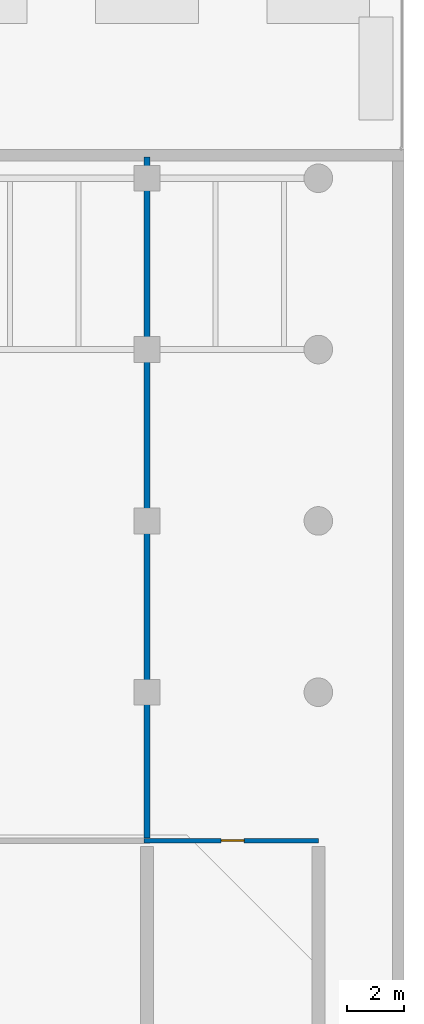
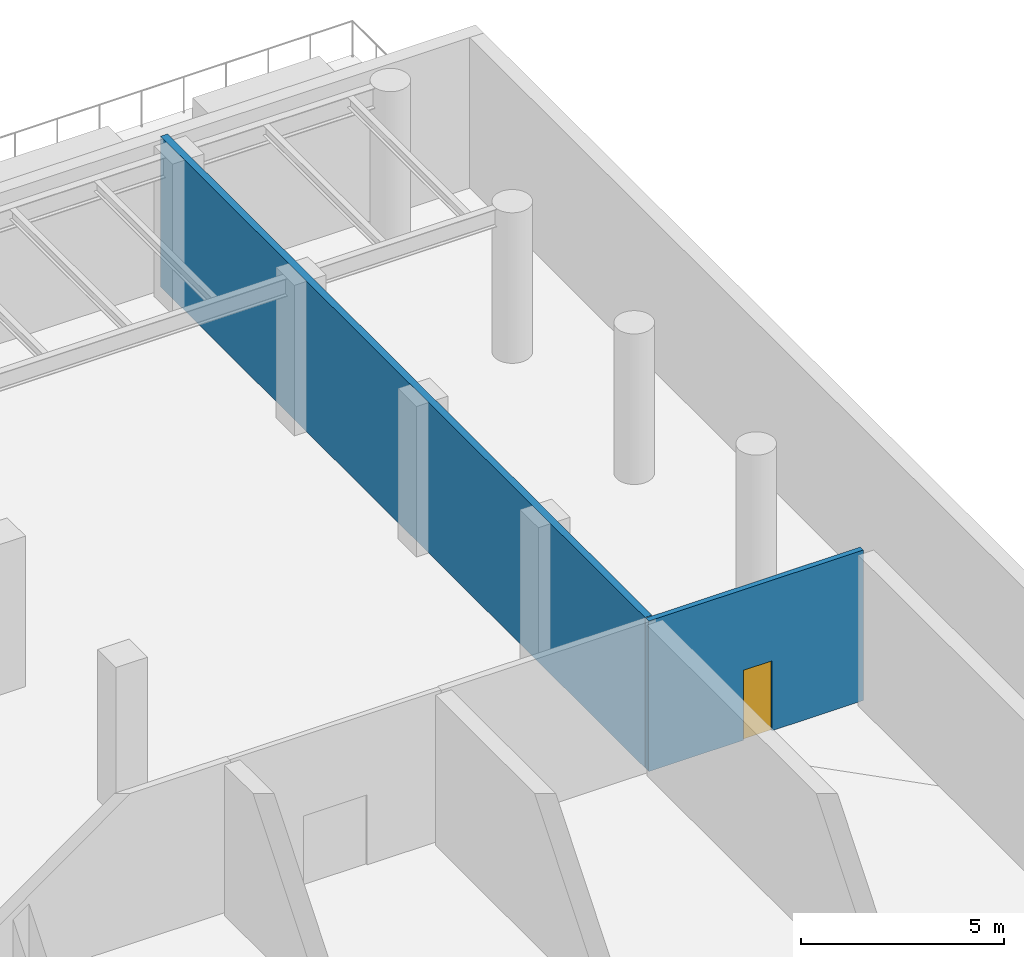
# One storey, part 15 of 20: 2 walls, 1 door, 1 opening.
"""IFC4 building model written with IfcOpenShell, lengths in metres."""

import ifcopenshell
import ifcopenshell.guid

model = None  # the IFC model being written
_history = None  # IfcOwnerHistory: only IFC2X3 demands one
_inside = {}  # id of a spatial element -> (the spatial element, [elements in it])
_under = {}  # id of a project, library or spatial element -> (it, [spatial elements below it])
_declared = {}  # id of a project -> (the project, [libraries it declares])
_typed = {}  # id of a type object -> (the type object, [elements of that type])
_made_of = {}  # id of a material, layer set ... -> (it, [elements and type objects made of it])


def new_model(schema):
    """Start an empty IFC model of exactly this schema.

    Asked for "IFC4X3", IfcOpenShell would pick the latest addendum, in which some entities
    have other attributes; the version numbers below select the first issue.
    IFC2X3 requires an IfcOwnerHistory on every rooted entity: one is made here for all.
    """
    global model, _history
    if schema == "IFC4X3":
        model = ifcopenshell.file(schema_version=(4, 3, 0, 0))
    else:
        model = ifcopenshell.file(schema=schema)
    _inside.clear()
    _under.clear()
    _declared.clear()
    _typed.clear()
    _made_of.clear()
    _history = None
    if model.schema == "IFC2X3":
        org = make("IfcOrganization", Name="unknown")
        user = make(
            "IfcPersonAndOrganization",
            ThePerson=make("IfcPerson", FamilyName="unknown"),
            TheOrganization=org,
        )
        app = make(
            "IfcApplication",
            ApplicationDeveloper=org,
            Version="unknown",
            ApplicationFullName="unknown",
            ApplicationIdentifier="unknown",
        )
        _history = make(
            "IfcOwnerHistory",
            OwningUser=user,
            OwningApplication=app,
            ChangeAction="ADDED",
            CreationDate=0,
        )
    return model


def make(cls, **values):
    """One entity of the class cls with the attributes given. An attribute that is None is left unset."""
    return model.create_entity(
        cls, **{name: value for name, value in values.items() if value is not None}
    )


def rooted(cls, **values):
    """An entity with a GlobalId (a new one), such as an element, a storey or a relation."""
    return make(cls, GlobalId=ifcopenshell.guid.new(), OwnerHistory=_history, **values)


def si_unit(unit_type, name, prefix=None):
    """IfcSIUnit, for example si_unit("LENGTHUNIT", "METRE", prefix="MILLI")."""
    return make("IfcSIUnit", UnitType=unit_type, Prefix=prefix, Name=name)


def assignment(units):
    """IfcUnitAssignment: the units of a project."""
    return None if units is None else make("IfcUnitAssignment", Units=units)


def point(xyz):
    """IfcCartesianPoint."""
    return None if xyz is None else make("IfcCartesianPoint", Coordinates=xyz)


def direction(xyz):
    """IfcDirection."""
    return None if xyz is None else make("IfcDirection", DirectionRatios=xyz)


def frame(location, z_axis=None, x_axis=None):
    """IfcAxis2Placement3D, a coordinate frame: its origin and axes. An axis left out is left unset."""
    return make(
        "IfcAxis2Placement3D",
        Location=point(location),
        Axis=direction(z_axis),
        RefDirection=direction(x_axis),
    )


def frame_2d(location, x_axis=None):
    """IfcAxis2Placement2D, a coordinate frame in the plane: its origin and x axis."""
    return make(
        "IfcAxis2Placement2D", Location=point(location), RefDirection=direction(x_axis)
    )


def origin():
    """The frame at (0, 0, 0) with its axes left unset."""
    return frame((0.0, 0.0, 0.0))


def place(relative_to, where):
    """IfcLocalPlacement: puts the frame where relative to a parent placement (None: the world)."""
    return make(
        "IfcLocalPlacement", PlacementRelTo=relative_to, RelativePlacement=where
    )


def context(
    kind, dimensions, precision=None, world=None, true_north=None, identifier=None
):
    """IfcGeometricRepresentationContext, for example the 3D "Model" context."""
    return make(
        "IfcGeometricRepresentationContext",
        ContextIdentifier=identifier,
        ContextType=kind,
        CoordinateSpaceDimension=dimensions,
        Precision=precision,
        WorldCoordinateSystem=world,
        TrueNorth=true_north,
    )


def subcontext(parent, identifier, kind, view, scale=None):
    """IfcGeometricRepresentationSubContext, for example "Body" below "Model"."""
    return make(
        "IfcGeometricRepresentationSubContext",
        ContextIdentifier=identifier,
        ContextType=kind,
        ParentContext=parent,
        TargetScale=scale,
        TargetView=view,
    )


def project(units=None, contexts=None):
    """IfcProject with its units and contexts."""
    return rooted(
        "IfcProject",
        Name="project",
        RepresentationContexts=contexts,
        UnitsInContext=assignment(units),
    )


def spatial(cls, under=None, at=None, **own):
    """A site, building, storey or space (cls), placed at a placement, below another one or the project."""
    s = rooted(cls, ObjectPlacement=at, **own)
    if under is not None:
        _under.setdefault(under.id(), (under, []))[1].append(s)
    return s


def profile(cls, at=None, kind="AREA", **sizes):
    """A parametric profile (cls). Its sizes go by their IFC names, for example OverallWidth=200.0."""
    return make(cls, ProfileType=kind, Position=at, **sizes)


def rectangle(**sizes):
    """IfcRectangleProfileDef."""
    return profile("IfcRectangleProfileDef", **sizes)


def extrude(swept, where, along, depth):
    """IfcExtrudedAreaSolid: the profile swept, set in the frame where, extruded along a direction by depth."""
    return make(
        "IfcExtrudedAreaSolid",
        SweptArea=swept,
        Position=where,
        ExtrudedDirection=direction(along),
        Depth=depth,
    )


def shape(context_of_items, identifier, shape_type, items):
    """IfcShapeRepresentation: the items that make up one representation, for example the "Body"."""
    return make(
        "IfcShapeRepresentation",
        ContextOfItems=context_of_items,
        RepresentationIdentifier=identifier,
        RepresentationType=shape_type,
        Items=items,
    )


def material(Name=None, Category=None):
    """IfcMaterial."""
    return make("IfcMaterial", Name=Name, Category=Category)


def layer(
    of_material, thickness, ventilated=None, Name=None, Category=None, Priority=None
):
    """IfcMaterialLayer: one layer of a wall or slab, of a material (None: an air gap)."""
    return make(
        "IfcMaterialLayer",
        Material=of_material,
        LayerThickness=thickness,
        IsVentilated=ventilated,
        Name=Name,
        Category=Category,
        Priority=Priority,
    )


def layer_set(layers, Name=None):
    """IfcMaterialLayerSet."""
    return make("IfcMaterialLayerSet", MaterialLayers=layers, LayerSetName=Name)


def made_of(thing, what):
    """Note that an element or type object is made of a material, layer set ...; save() writes the relation."""
    if what is not None:
        _made_of.setdefault(what.id(), (what, []))[1].append(thing)
    return thing


def type_object(cls, material=None, **own):
    """A type object (cls), such as IfcWallType, which elements share."""
    return made_of(rooted(cls, **own), material)


def element(
    cls,
    number,
    at=None,
    inside=None,
    cuts=None,
    type_object=None,
    material=None,
    context=None,
    identifier="Body",
    shape_type=None,
    held_by="IfcProductDefinitionShape",
    body=None,
    shapes=None,
    **own,
):
    """One element of the class cls, such as IfcWall. Its Tag is "e" and its number.

    at: its placement. inside: the storey or other place that contains it. cuts: it is an
    opening in that element (IfcRelVoidsElement). A single representation is given by context,
    identifier, shape_type and body (its items); several are given by shapes. held_by: the class
    of the entity that holds the representations. save() writes the other relations.
    """
    e = rooted(cls, Tag="e%d" % number, ObjectPlacement=at, **own)
    if body is not None:
        shapes = [shape(context, identifier, shape_type, body)]
    if shapes is not None:
        e.Representation = make(held_by, Representations=shapes)
    if inside is not None:
        _inside.setdefault(inside.id(), (inside, []))[1].append(e)
    if cuts is not None:
        rooted(
            "IfcRelVoidsElement", RelatingBuildingElement=cuts, RelatedOpeningElement=e
        )
    if type_object is not None:
        _typed.setdefault(type_object.id(), (type_object, []))[1].append(e)
    return made_of(e, material)


def fill(opening, filler):
    """IfcRelFillsElement: the door or window that sits in an opening."""
    return rooted(
        "IfcRelFillsElement",
        RelatingOpeningElement=opening,
        RelatedBuildingElement=filler,
    )


def aggregate(whole, parts):
    """IfcRelAggregates: a whole, such as a stair, and the parts it consists of."""
    return rooted("IfcRelAggregates", RelatingObject=whole, RelatedObjects=parts)


def save(model, path):
    """Write the relations noted so far, then the file.

    IfcRelAggregates (storeys below a building ...), IfcRelContainedInSpatialStructure (elements
    in a storey), IfcRelDefinesByType, IfcRelAssociatesMaterial and IfcRelDeclares: one each for
    every whole, place, type object, material and project.
    """
    for whole, parts in _under.values():
        aggregate(whole, parts)
    for where, things in _inside.values():
        rooted(
            "IfcRelContainedInSpatialStructure",
            RelatedElements=things,
            RelatingStructure=where,
        )
    for kind, things in _typed.values():
        rooted("IfcRelDefinesByType", RelatedObjects=things, RelatingType=kind)
    for what, things in _made_of.values():
        rooted("IfcRelAssociatesMaterial", RelatedObjects=things, RelatingMaterial=what)
    for by, libraries in _declared.values():
        rooted("IfcRelDeclares", RelatingContext=by, RelatedDefinitions=libraries)
    model.write(path)


model = new_model("IFC4")

# Units and contexts
model_context = context("Model", 3, precision=1e-05, world=origin(), true_north=direction((0.0, 1.0)))
body_context = subcontext(model_context, "Body", "Model", "MODEL_VIEW")
ifc_project = project(units=[si_unit("LENGTHUNIT", "METRE"), si_unit("AREAUNIT", "SQUARE_METRE"), si_unit("VOLUMEUNIT", "CUBIC_METRE"), si_unit("PLANEANGLEUNIT", "RADIAN"), si_unit("MASSUNIT", "GRAM", prefix="KILO")], contexts=[model_context])

# Site, building, storey
site_placement = place(None, origin())
site = spatial("IfcSite", under=ifc_project, at=site_placement, CompositionType="ELEMENT")
building_placement = place(site_placement, origin())
building = spatial("IfcBuilding", under=site, at=building_placement, Name="Poui Terraces", CompositionType="ELEMENT")
storey_placement = place(building_placement, frame((0.0, 0.0, 6.0)))
storey = spatial("IfcBuildingStorey", under=building, at=storey_placement, Name="L01", CompositionType="ELEMENT", Elevation=6.0)

# Wall
ifc_material_1 = material(Name="Fire-rated masonry wall", Category="masonry")
ifc_layer_1 = layer(ifc_material_1, 0.199951171875)
ifc_layer_set_1 = layer_set([ifc_layer_1], Name="Fire-rated masonry wall")
wall_type_1 = type_object("IfcWallType", Name="COMPARTMENT WALL 200", PredefinedType="PARTITIONING", material=ifc_layer_set_1)
wall_1_placement = place(storey_placement, frame((96.0, 44.89990234375, 0.0), z_axis=(0.0, 0.0, 1.0), x_axis=(0.0, 1.0, 0.0)))
element("IfcWall", 1, at=wall_1_placement, inside=storey, type_object=wall_type_1, Name="COMPARTMENT WALL 200", PredefinedType="PARTITIONING", context=body_context, shape_type="SweptSolid", body=[
    extrude(rectangle(XDim=23.840087890625, YDim=0.199951171875, at=frame_2d((11.919921875, 0.0))), origin(), (0.0, 0.0, 1.0), 4.52001953125),
])

# Wall, opening, door
ifc_material_2 = material(Name="Fire-rated plasterboard wall")
ifc_layer_2 = layer(ifc_material_2, 0.14990234375)
ifc_layer_set_2 = layer_set([ifc_layer_2], Name="Fire-rated plasterboard wall")
wall_type_2 = type_object("IfcWallType", Name="CORRIDOR WALL 150", PredefinedType="PARTITIONING", material=ifc_layer_set_2)
wall_2_placement = place(storey_placement, frame((95.89990234375, 44.800048828125, 0.0), z_axis=(0.0, 0.0, 1.0), x_axis=(1.0, 0.0, 0.0)))
wall_2 = element("IfcWall", 2, at=wall_2_placement, inside=storey, type_object=wall_type_2, Name="CORRIDOR WALL 150", PredefinedType="PARTITIONING", context=body_context, shape_type="SweptSolid", body=[
    extrude(rectangle(XDim=6.10009765625, YDim=0.14990234375, at=frame_2d((3.050048828125, 0.0))), origin(), (0.0, 0.0, 1.0), 4.52001953125),
])
opening_placement = place(wall_2_placement, frame((2.699951171875, 0.0, 0.0)))
opening = element("IfcOpeningElement", 3, at=opening_placement, cuts=wall_2, Name="Opening D80", PredefinedType="OPENING", context=body_context, shape_type="SweptSolid", body=[
    extrude(rectangle(XDim=0.800048828125, YDim=2.10009765625, at=frame_2d((0.39990234375, 1.050048828125))), frame((0.0, 0.0849609375, 0.0), z_axis=(0.0, -1.0, 0.0), x_axis=(1.0, 0.0, 0.0)), (0.0, 0.0, 1.0), 0.169921875),
])
ifc_material_3 = material(Name="Solid core timber door", Category="wood")
door_type = type_object("IfcDoorType", Name="BATHROOM, LAUNDRY AND STORE DOOR 800 X 2100", OperationType="NOTDEFINED", PredefinedType="DOOR", material=ifc_material_3)
door_placement = place(opening_placement, frame((0.800048828125, 0.0, 0.0), z_axis=(0.0, 0.0, 1.0), x_axis=(-1.0, 0.0, 0.0)))
door = element("IfcDoor", 4, at=door_placement, inside=storey, type_object=door_type, Name="BATHROOM, LAUNDRY AND STORE DOOR 080", OperationType="SINGLE_SWING_RIGHT", OverallHeight=2.10009765625, OverallWidth=0.800048828125, PredefinedType="DOOR", context=body_context, shape_type="SweptSolid", body=[
    extrude(rectangle(XDim=0.800048828125, YDim=2.10009765625, at=frame_2d((0.39990234375, 1.050048828125))), frame((0.0, 0.02490234375, 0.0), z_axis=(0.0, -1.0, 0.0), x_axis=(1.0, 0.0, 0.0)), (0.0, 0.0, 1.0), 0.050048828125),
])
fill(opening, door)

save(model, "model.ifc")
